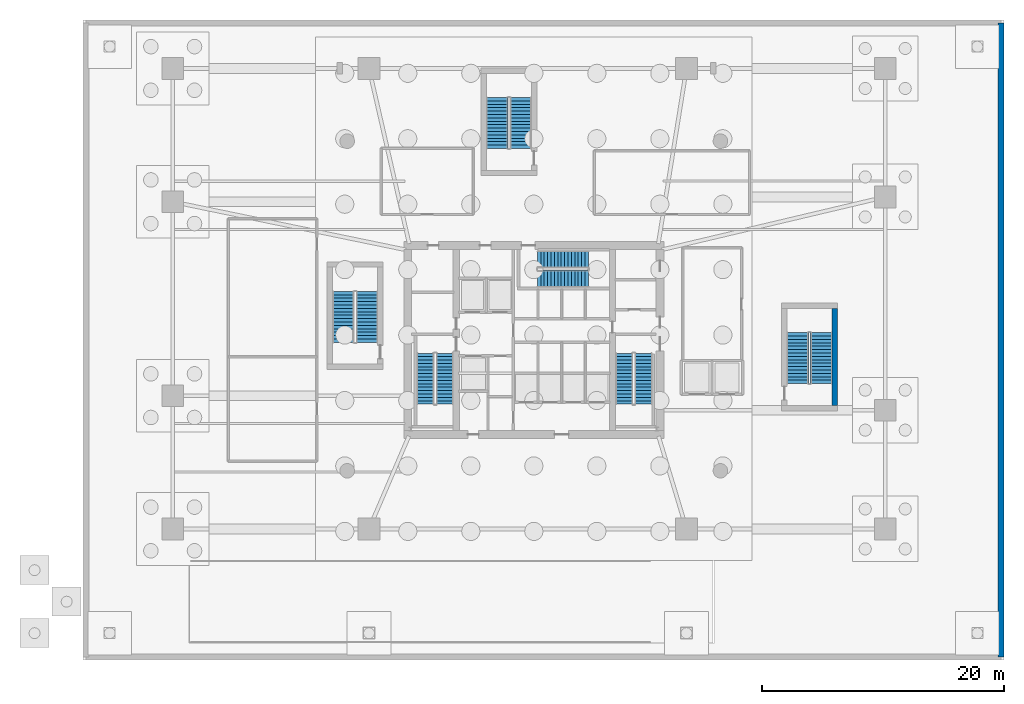
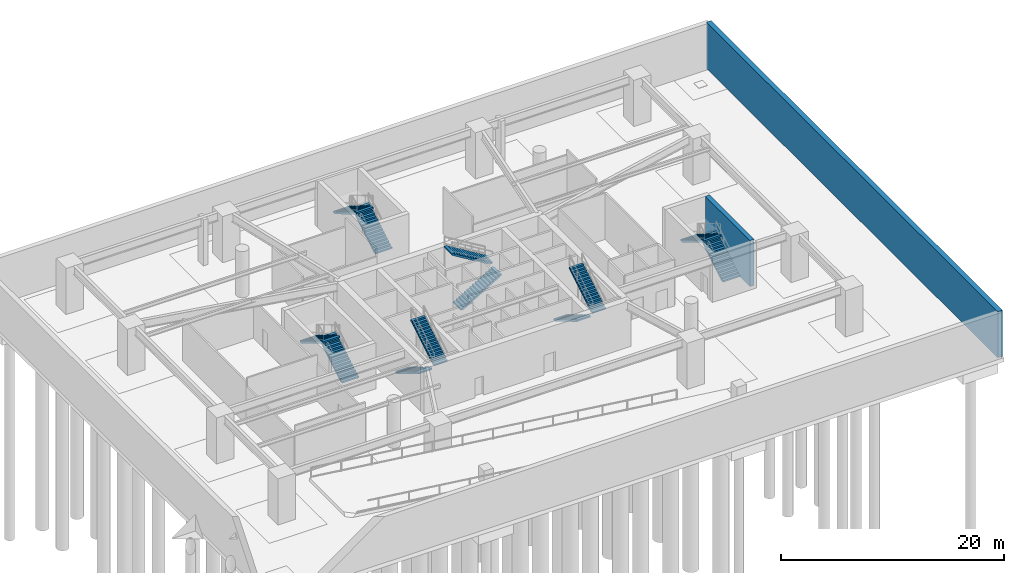
# One storey, part 8 of 11: 12 stair flights, 2 walls, 6 elements without a shape of their own.
"""IFC4 building model written with IfcOpenShell, lengths in metres."""

from ifc_helpers import new_model, si_unit, direction, frame, frame_2d, origin, place, context, subcontext, project, spatial, polyline, rectangle, outline, extrude, material, layer, layer_set, type_object, element, aggregate, save


model = new_model("IFC4")

# Units and contexts
model_context = context("Model", 3, precision=1e-05, world=origin(), true_north=direction((0.0, 1.0)))
body_context = subcontext(model_context, "Body", "Model", "MODEL_VIEW")
ifc_project = project(units=[si_unit("LENGTHUNIT", "METRE"), si_unit("AREAUNIT", "SQUARE_METRE"), si_unit("VOLUMEUNIT", "CUBIC_METRE"), si_unit("PLANEANGLEUNIT", "RADIAN"), si_unit("MASSUNIT", "GRAM", prefix="KILO")], contexts=[model_context])

# Site, building, storey
site_placement = place(None, origin())
site = spatial("IfcSite", under=ifc_project, at=site_placement, CompositionType="ELEMENT")
building_placement = place(site_placement, origin())
building = spatial("IfcBuilding", under=site, at=building_placement, Name="Qarnah Convention Tower", CompositionType="ELEMENT")
storey_placement = place(building_placement, frame((0.0, 0.0, -5.39990234375)))
storey = spatial("IfcBuildingStorey", under=building, at=storey_placement, Name="B1", CompositionType="ELEMENT", Elevation=-5.39990234375)

# Walls
ifc_material_1 = material(Name="Concrete C60/75", Category="concrete")
ifc_layer_1 = layer(ifc_material_1, 0.449951171875)
ifc_layer_set_1 = layer_set([ifc_layer_1], Name="Concrete C60/75")
wall_type_1 = type_object("IfcWallType", Name="WL-POD-CORE-450", PredefinedType="SHEAR", material=ifc_layer_set_1)
wall_1_placement = place(storey_placement, frame((62.02490234375, 21.0, 0.0), z_axis=(0.0, 0.0, 1.0), x_axis=(0.0, 1.0, 0.0)))
element("IfcWall", 1, at=wall_1_placement, inside=storey, type_object=wall_type_1, Name="B1 podium stair ST-4 east wall", PredefinedType="SHEAR", context=body_context, shape_type="SweptSolid", body=[
    extrude(rectangle(XDim=8.0, YDim=0.449951171875, at=frame_2d((4.0, 0.0))), origin(), (0.0, 0.0, 1.0), 5.0498046875),
])
ifc_material_2 = material(Name="Concrete C50/60", Category="concrete")
ifc_layer_2 = layer(ifc_material_2, 0.5)
ifc_layer_set_2 = layer_set([ifc_layer_2], Name="Concrete C50/60")
wall_type_2 = type_object("IfcWallType", Name="WL-RET-500", PredefinedType="USERDEFINED", material=ifc_layer_set_2)
wall_2_placement = place(storey_placement, frame((75.75, 0.25, 0.0), z_axis=(0.0, 0.0, 1.0), x_axis=(0.0, 1.0, 0.0)))
element("IfcWall", 2, at=wall_2_placement, inside=storey, type_object=wall_type_2, Name="Basement perimeter retaining wall E", ObjectType="RETAININGWALL", PredefinedType="USERDEFINED", context=body_context, shape_type="SweptSolid", body=[
    extrude(rectangle(XDim=52.300048828125, YDim=0.5, at=frame_2d((26.14990234375, 0.0))), origin(), (0.0, 0.0, 1.0), 5.0498046875),
])

# Stair, stair flights
stair_type_1 = type_object("IfcStairType", Name="STR-POD", PredefinedType="HALF_TURN_STAIR", material=ifc_material_2)
stair_1_placement = place(storey_placement, origin())
stair_1 = element("IfcStair", 3, at=stair_1_placement, inside=storey, type_object=stair_type_1, Name="B1 Core exit stair ST-1", PredefinedType="HALF_TURN_STAIR")
stair_flight_type_1 = type_object("IfcStairFlightType", Name="FLT-POD", PredefinedType="STRAIGHT", material=ifc_material_2)
stair_flight_1_placement = place(storey_placement, frame((28.25, 25.300048828125, 0.0), z_axis=(0.0, 0.0, 1.0), x_axis=(0.0, -1.0, 0.0)))
stair_flight_1 = element("IfcStairFlight", 4, at=stair_flight_1_placement, type_object=stair_flight_type_1, Name="ST-1 flight 1", NumberOfRisers=16, NumberOfTreads=15, PredefinedType="STRAIGHT", RiserHeight=0.16875, TreadLength=0.28, context=body_context, shape_type="SweptSolid", body=[
    extrude(outline(polyline([(0.0, 0.0), (0.0, 0.168701171875), (0.280029296875, 0.168701171875), (0.280029296875, 0.33740234375), (0.56005859375, 0.33740234375), (0.56005859375, 0.50634765625), (0.840087890625, 0.50634765625), (0.840087890625, 0.675048828125), (1.1201171875, 0.675048828125), (1.1201171875, 0.84375), (1.39990234375, 0.84375), (1.39990234375, 1.012451171875), (1.679931640625, 1.012451171875), (1.679931640625, 1.18115234375), (1.9599609375, 1.18115234375), (1.9599609375, 1.35009765625), (2.239990234375, 1.35009765625), (2.239990234375, 1.518798828125), (2.52001953125, 1.518798828125), (2.52001953125, 1.6875), (2.800048828125, 1.6875), (2.800048828125, 1.856201171875), (3.080078125, 1.856201171875), (3.080078125, 2.02490234375), (3.360107421875, 2.02490234375), (3.360107421875, 2.19384765625), (3.639892578125, 2.19384765625), (3.639892578125, 2.362548828125), (3.919921875, 2.362548828125), (3.919921875, 2.53125), (4.199951171875, 2.53125), (4.199951171875, 2.699951171875), (4.199951171875, 2.356201171875), (0.29052734375, 0.0), (0.0, 0.0)])), frame((0.0, 0.699951171875, 0.0), z_axis=(0.0, -1.0, 0.0), x_axis=(1.0, 0.0, 0.0)), (0.0, 0.0, 1.0), 1.39990234375),
])
stair_flight_2_placement = place(storey_placement, frame((29.85009765625, 21.10009765625, 2.699951171875), z_axis=(0.0, 0.0, 1.0), x_axis=(0.0, 1.0, 0.0)))
stair_flight_2 = element("IfcStairFlight", 5, at=stair_flight_2_placement, type_object=stair_flight_type_1, Name="ST-1 flight 2", NumberOfRisers=16, NumberOfTreads=15, PredefinedType="STRAIGHT", RiserHeight=0.16875, TreadLength=0.28, context=body_context, shape_type="SweptSolid", body=[
    extrude(outline(polyline([(0.0, 0.0), (0.0, 0.168701171875), (0.280029296875, 0.168701171875), (0.280029296875, 0.33740234375), (0.56005859375, 0.33740234375), (0.56005859375, 0.50634765625), (0.840087890625, 0.50634765625), (0.840087890625, 0.675048828125), (1.1201171875, 0.675048828125), (1.1201171875, 0.84375), (1.39990234375, 0.84375), (1.39990234375, 1.012451171875), (1.679931640625, 1.012451171875), (1.679931640625, 1.18115234375), (1.9599609375, 1.18115234375), (1.9599609375, 1.35009765625), (2.239990234375, 1.35009765625), (2.239990234375, 1.518798828125), (2.52001953125, 1.518798828125), (2.52001953125, 1.6875), (2.800048828125, 1.6875), (2.800048828125, 1.856201171875), (3.080078125, 1.856201171875), (3.080078125, 2.02490234375), (3.360107421875, 2.02490234375), (3.360107421875, 2.19384765625), (3.639892578125, 2.19384765625), (3.639892578125, 2.362548828125), (3.919921875, 2.362548828125), (3.919921875, 2.53125), (4.199951171875, 2.53125), (4.199951171875, 2.699951171875), (4.199951171875, 2.356201171875), (0.29052734375, 0.0), (0.0, 0.0)])), frame((0.0, 0.699951171875, 0.0), z_axis=(0.0, -1.0, 0.0), x_axis=(1.0, 0.0, 0.0)), (0.0, 0.0, 1.0), 1.39990234375),
])
aggregate(stair_1, [stair_flight_1, stair_flight_2])

stair_2_placement = place(storey_placement, origin())
stair_2 = element("IfcStair", 6, at=stair_2_placement, inside=storey, type_object=stair_type_1, Name="B1 Core exit stair ST-2", PredefinedType="HALF_TURN_STAIR")
stair_flight_3_placement = place(storey_placement, frame((44.64990234375, 25.300048828125, 0.0), z_axis=(0.0, 0.0, 1.0), x_axis=(0.0, -1.0, 0.0)))
stair_flight_3 = element("IfcStairFlight", 7, at=stair_flight_3_placement, type_object=stair_flight_type_1, Name="ST-2 flight 1", NumberOfRisers=16, NumberOfTreads=15, PredefinedType="STRAIGHT", RiserHeight=0.16875, TreadLength=0.28, context=body_context, shape_type="SweptSolid", body=[
    extrude(outline(polyline([(0.0, 0.0), (0.0, 0.168701171875), (0.280029296875, 0.168701171875), (0.280029296875, 0.33740234375), (0.56005859375, 0.33740234375), (0.56005859375, 0.50634765625), (0.840087890625, 0.50634765625), (0.840087890625, 0.675048828125), (1.1201171875, 0.675048828125), (1.1201171875, 0.84375), (1.39990234375, 0.84375), (1.39990234375, 1.012451171875), (1.679931640625, 1.012451171875), (1.679931640625, 1.18115234375), (1.9599609375, 1.18115234375), (1.9599609375, 1.35009765625), (2.239990234375, 1.35009765625), (2.239990234375, 1.518798828125), (2.52001953125, 1.518798828125), (2.52001953125, 1.6875), (2.800048828125, 1.6875), (2.800048828125, 1.856201171875), (3.080078125, 1.856201171875), (3.080078125, 2.02490234375), (3.360107421875, 2.02490234375), (3.360107421875, 2.19384765625), (3.639892578125, 2.19384765625), (3.639892578125, 2.362548828125), (3.919921875, 2.362548828125), (3.919921875, 2.53125), (4.199951171875, 2.53125), (4.199951171875, 2.699951171875), (4.199951171875, 2.356201171875), (0.29052734375, 0.0), (0.0, 0.0)])), frame((0.0, 0.699951171875, 0.0), z_axis=(0.0, -1.0, 0.0), x_axis=(1.0, 0.0, 0.0)), (0.0, 0.0, 1.0), 1.39990234375),
])
stair_flight_4_placement = place(storey_placement, frame((46.25, 21.10009765625, 2.699951171875), z_axis=(0.0, 0.0, 1.0), x_axis=(0.0, 1.0, 0.0)))
stair_flight_4 = element("IfcStairFlight", 8, at=stair_flight_4_placement, type_object=stair_flight_type_1, Name="ST-2 flight 2", NumberOfRisers=16, NumberOfTreads=15, PredefinedType="STRAIGHT", RiserHeight=0.16875, TreadLength=0.28, context=body_context, shape_type="SweptSolid", body=[
    extrude(outline(polyline([(0.0, 0.0), (0.0, 0.168701171875), (0.280029296875, 0.168701171875), (0.280029296875, 0.33740234375), (0.56005859375, 0.33740234375), (0.56005859375, 0.50634765625), (0.840087890625, 0.50634765625), (0.840087890625, 0.675048828125), (1.1201171875, 0.675048828125), (1.1201171875, 0.84375), (1.39990234375, 0.84375), (1.39990234375, 1.012451171875), (1.679931640625, 1.012451171875), (1.679931640625, 1.18115234375), (1.9599609375, 1.18115234375), (1.9599609375, 1.35009765625), (2.239990234375, 1.35009765625), (2.239990234375, 1.518798828125), (2.52001953125, 1.518798828125), (2.52001953125, 1.6875), (2.800048828125, 1.6875), (2.800048828125, 1.856201171875), (3.080078125, 1.856201171875), (3.080078125, 2.02490234375), (3.360107421875, 2.02490234375), (3.360107421875, 2.19384765625), (3.639892578125, 2.19384765625), (3.639892578125, 2.362548828125), (3.919921875, 2.362548828125), (3.919921875, 2.53125), (4.199951171875, 2.53125), (4.199951171875, 2.699951171875), (4.199951171875, 2.356201171875), (0.29052734375, 0.0), (0.0, 0.0)])), frame((0.0, 0.699951171875, 0.0), z_axis=(0.0, -1.0, 0.0), x_axis=(1.0, 0.0, 0.0)), (0.0, 0.0, 1.0), 1.39990234375),
])
aggregate(stair_2, [stair_flight_3, stair_flight_4])

stair_3_placement = place(storey_placement, origin())
stair_3 = element("IfcStair", 9, at=stair_3_placement, inside=storey, type_object=stair_type_1, Name="B1 Core exit stair ST-3", PredefinedType="HALF_TURN_STAIR")
stair_flight_5_placement = place(storey_placement, frame((37.5, 31.449951171875, 0.0), z_axis=(0.0, 0.0, 1.0), x_axis=(1.0, 0.0, 0.0)))
stair_flight_5 = element("IfcStairFlight", 10, at=stair_flight_5_placement, type_object=stair_flight_type_1, Name="ST-3 flight 1", NumberOfRisers=16, NumberOfTreads=15, PredefinedType="STRAIGHT", RiserHeight=0.16875, TreadLength=0.28, context=body_context, shape_type="SweptSolid", body=[
    extrude(outline(polyline([(0.0, 0.0), (0.0, 0.168701171875), (0.280029296875, 0.168701171875), (0.280029296875, 0.33740234375), (0.56005859375, 0.33740234375), (0.56005859375, 0.50634765625), (0.840087890625, 0.50634765625), (0.840087890625, 0.675048828125), (1.1201171875, 0.675048828125), (1.1201171875, 0.84375), (1.39990234375, 0.84375), (1.39990234375, 1.012451171875), (1.679931640625, 1.012451171875), (1.679931640625, 1.18115234375), (1.9599609375, 1.18115234375), (1.9599609375, 1.35009765625), (2.239990234375, 1.35009765625), (2.239990234375, 1.518798828125), (2.52001953125, 1.518798828125), (2.52001953125, 1.6875), (2.800048828125, 1.6875), (2.800048828125, 1.856201171875), (3.080078125, 1.856201171875), (3.080078125, 2.02490234375), (3.360107421875, 2.02490234375), (3.360107421875, 2.19384765625), (3.639892578125, 2.19384765625), (3.639892578125, 2.362548828125), (3.919921875, 2.362548828125), (3.919921875, 2.53125), (4.199951171875, 2.53125), (4.199951171875, 2.699951171875), (4.199951171875, 2.356201171875), (0.29052734375, 0.0), (0.0, 0.0)])), frame((0.0, 0.699951171875, 0.0), z_axis=(0.0, -1.0, 0.0), x_axis=(1.0, 0.0, 0.0)), (0.0, 0.0, 1.0), 1.39990234375),
])
stair_flight_6_placement = place(storey_placement, frame((41.699951171875, 33.050048828125, 2.699951171875), z_axis=(0.0, 0.0, 1.0), x_axis=(-1.0, 0.0, 0.0)))
stair_flight_6 = element("IfcStairFlight", 11, at=stair_flight_6_placement, type_object=stair_flight_type_1, Name="ST-3 flight 2", NumberOfRisers=16, NumberOfTreads=15, PredefinedType="STRAIGHT", RiserHeight=0.16875, TreadLength=0.28, context=body_context, shape_type="SweptSolid", body=[
    extrude(outline(polyline([(0.0, 0.0), (0.0, 0.168701171875), (0.280029296875, 0.168701171875), (0.280029296875, 0.33740234375), (0.56005859375, 0.33740234375), (0.56005859375, 0.50634765625), (0.840087890625, 0.50634765625), (0.840087890625, 0.675048828125), (1.1201171875, 0.675048828125), (1.1201171875, 0.84375), (1.39990234375, 0.84375), (1.39990234375, 1.012451171875), (1.679931640625, 1.012451171875), (1.679931640625, 1.18115234375), (1.9599609375, 1.18115234375), (1.9599609375, 1.35009765625), (2.239990234375, 1.35009765625), (2.239990234375, 1.518798828125), (2.52001953125, 1.518798828125), (2.52001953125, 1.6875), (2.800048828125, 1.6875), (2.800048828125, 1.856201171875), (3.080078125, 1.856201171875), (3.080078125, 2.02490234375), (3.360107421875, 2.02490234375), (3.360107421875, 2.19384765625), (3.639892578125, 2.19384765625), (3.639892578125, 2.362548828125), (3.919921875, 2.362548828125), (3.919921875, 2.53125), (4.199951171875, 2.53125), (4.199951171875, 2.699951171875), (4.199951171875, 2.356201171875), (0.29052734375, 0.0), (0.0, 0.0)])), frame((0.0, 0.699951171875, 0.0), z_axis=(0.0, -1.0, 0.0), x_axis=(1.0, 0.0, 0.0)), (0.0, 0.0, 1.0), 1.39990234375),
])
aggregate(stair_3, [stair_flight_5, stair_flight_6])

stair_type_2 = type_object("IfcStairType", Name="STR-PODW", PredefinedType="HALF_TURN_STAIR", material=ifc_material_2)
stair_4_placement = place(storey_placement, origin())
stair_4 = element("IfcStair", 12, at=stair_4_placement, inside=storey, type_object=stair_type_2, Name="B1 Podium east convention exit stair ST-4", PredefinedType="HALF_TURN_STAIR")
stair_flight_type_2 = type_object("IfcStairFlightType", Name="FLT-PODW", PredefinedType="STRAIGHT", material=ifc_material_2)
stair_flight_7_placement = place(storey_placement, frame((60.925048828125, 22.800048828125, 0.0), z_axis=(0.0, 0.0, 1.0), x_axis=(0.0, 1.0, 0.0)))
stair_flight_7 = element("IfcStairFlight", 13, at=stair_flight_7_placement, type_object=stair_flight_type_2, Name="ST-4 flight 1", NumberOfRisers=16, NumberOfTreads=15, PredefinedType="STRAIGHT", RiserHeight=0.16875, TreadLength=0.28, context=body_context, shape_type="SweptSolid", body=[
    extrude(outline(polyline([(0.0, 0.0), (0.0, 0.168701171875), (0.280029296875, 0.168701171875), (0.280029296875, 0.33740234375), (0.56005859375, 0.33740234375), (0.56005859375, 0.50634765625), (0.840087890625, 0.50634765625), (0.840087890625, 0.675048828125), (1.1201171875, 0.675048828125), (1.1201171875, 0.84375), (1.39990234375, 0.84375), (1.39990234375, 1.012451171875), (1.679931640625, 1.012451171875), (1.679931640625, 1.18115234375), (1.9599609375, 1.18115234375), (1.9599609375, 1.35009765625), (2.239990234375, 1.35009765625), (2.239990234375, 1.518798828125), (2.52001953125, 1.518798828125), (2.52001953125, 1.6875), (2.800048828125, 1.6875), (2.800048828125, 1.856201171875), (3.080078125, 1.856201171875), (3.080078125, 2.02490234375), (3.360107421875, 2.02490234375), (3.360107421875, 2.19384765625), (3.639892578125, 2.19384765625), (3.639892578125, 2.362548828125), (3.919921875, 2.362548828125), (3.919921875, 2.53125), (4.199951171875, 2.53125), (4.199951171875, 2.699951171875), (4.199951171875, 2.356201171875), (0.29052734375, 0.0), (0.0, 0.0)])), frame((0.0, 0.875, 0.0), z_axis=(0.0, -1.0, 0.0), x_axis=(1.0, 0.0, 0.0)), (0.0, 0.0, 1.0), 1.75),
])
stair_flight_8_placement = place(storey_placement, frame((58.97509765625, 27.0, 2.699951171875), z_axis=(0.0, 0.0, 1.0), x_axis=(0.0, -1.0, 0.0)))
stair_flight_8 = element("IfcStairFlight", 14, at=stair_flight_8_placement, type_object=stair_flight_type_2, Name="ST-4 flight 2", NumberOfRisers=16, NumberOfTreads=15, PredefinedType="STRAIGHT", RiserHeight=0.16875, TreadLength=0.28, context=body_context, shape_type="SweptSolid", body=[
    extrude(outline(polyline([(0.0, 0.0), (0.0, 0.168701171875), (0.280029296875, 0.168701171875), (0.280029296875, 0.33740234375), (0.56005859375, 0.33740234375), (0.56005859375, 0.50634765625), (0.840087890625, 0.50634765625), (0.840087890625, 0.675048828125), (1.1201171875, 0.675048828125), (1.1201171875, 0.84375), (1.39990234375, 0.84375), (1.39990234375, 1.012451171875), (1.679931640625, 1.012451171875), (1.679931640625, 1.18115234375), (1.9599609375, 1.18115234375), (1.9599609375, 1.35009765625), (2.239990234375, 1.35009765625), (2.239990234375, 1.518798828125), (2.52001953125, 1.518798828125), (2.52001953125, 1.6875), (2.800048828125, 1.6875), (2.800048828125, 1.856201171875), (3.080078125, 1.856201171875), (3.080078125, 2.02490234375), (3.360107421875, 2.02490234375), (3.360107421875, 2.19384765625), (3.639892578125, 2.19384765625), (3.639892578125, 2.362548828125), (3.919921875, 2.362548828125), (3.919921875, 2.53125), (4.199951171875, 2.53125), (4.199951171875, 2.699951171875), (4.199951171875, 2.356201171875), (0.29052734375, 0.0), (0.0, 0.0)])), frame((0.0, 0.875, 0.0), z_axis=(0.0, -1.0, 0.0), x_axis=(1.0, 0.0, 0.0)), (0.0, 0.0, 1.0), 1.75),
])
aggregate(stair_4, [stair_flight_7, stair_flight_8])

stair_5_placement = place(storey_placement, origin())
stair_5 = element("IfcStair", 15, at=stair_5_placement, inside=storey, type_object=stair_type_2, Name="B1 Podium west exhibition exit stair ST-5", PredefinedType="HALF_TURN_STAIR")
stair_flight_9_placement = place(storey_placement, frame((23.425048828125, 26.199951171875, 0.0), z_axis=(0.0, 0.0, 1.0), x_axis=(0.0, 1.0, 0.0)))
stair_flight_9 = element("IfcStairFlight", 16, at=stair_flight_9_placement, type_object=stair_flight_type_2, Name="ST-5 flight 1", NumberOfRisers=16, NumberOfTreads=15, PredefinedType="STRAIGHT", RiserHeight=0.16875, TreadLength=0.28, context=body_context, shape_type="SweptSolid", body=[
    extrude(outline(polyline([(0.0, 0.0), (0.0, 0.168701171875), (0.280029296875, 0.168701171875), (0.280029296875, 0.33740234375), (0.56005859375, 0.33740234375), (0.56005859375, 0.50634765625), (0.840087890625, 0.50634765625), (0.840087890625, 0.675048828125), (1.1201171875, 0.675048828125), (1.1201171875, 0.84375), (1.39990234375, 0.84375), (1.39990234375, 1.012451171875), (1.679931640625, 1.012451171875), (1.679931640625, 1.18115234375), (1.9599609375, 1.18115234375), (1.9599609375, 1.35009765625), (2.239990234375, 1.35009765625), (2.239990234375, 1.518798828125), (2.52001953125, 1.518798828125), (2.52001953125, 1.6875), (2.800048828125, 1.6875), (2.800048828125, 1.856201171875), (3.080078125, 1.856201171875), (3.080078125, 2.02490234375), (3.360107421875, 2.02490234375), (3.360107421875, 2.19384765625), (3.639892578125, 2.19384765625), (3.639892578125, 2.362548828125), (3.919921875, 2.362548828125), (3.919921875, 2.53125), (4.199951171875, 2.53125), (4.199951171875, 2.699951171875), (4.199951171875, 2.356201171875), (0.29052734375, 0.0), (0.0, 0.0)])), frame((0.0, 0.875, 0.0), z_axis=(0.0, -1.0, 0.0), x_axis=(1.0, 0.0, 0.0)), (0.0, 0.0, 1.0), 1.75),
])
stair_flight_10_placement = place(storey_placement, frame((21.47509765625, 30.39990234375, 2.699951171875), z_axis=(0.0, 0.0, 1.0), x_axis=(0.0, -1.0, 0.0)))
stair_flight_10 = element("IfcStairFlight", 17, at=stair_flight_10_placement, type_object=stair_flight_type_2, Name="ST-5 flight 2", NumberOfRisers=16, NumberOfTreads=15, PredefinedType="STRAIGHT", RiserHeight=0.16875, TreadLength=0.28, context=body_context, shape_type="SweptSolid", body=[
    extrude(outline(polyline([(0.0, 0.0), (0.0, 0.168701171875), (0.280029296875, 0.168701171875), (0.280029296875, 0.33740234375), (0.56005859375, 0.33740234375), (0.56005859375, 0.50634765625), (0.840087890625, 0.50634765625), (0.840087890625, 0.675048828125), (1.1201171875, 0.675048828125), (1.1201171875, 0.84375), (1.39990234375, 0.84375), (1.39990234375, 1.012451171875), (1.679931640625, 1.012451171875), (1.679931640625, 1.18115234375), (1.9599609375, 1.18115234375), (1.9599609375, 1.35009765625), (2.239990234375, 1.35009765625), (2.239990234375, 1.518798828125), (2.52001953125, 1.518798828125), (2.52001953125, 1.6875), (2.800048828125, 1.6875), (2.800048828125, 1.856201171875), (3.080078125, 1.856201171875), (3.080078125, 2.02490234375), (3.360107421875, 2.02490234375), (3.360107421875, 2.19384765625), (3.639892578125, 2.19384765625), (3.639892578125, 2.362548828125), (3.919921875, 2.362548828125), (3.919921875, 2.53125), (4.199951171875, 2.53125), (4.199951171875, 2.699951171875), (4.199951171875, 2.356201171875), (0.29052734375, 0.0), (0.0, 0.0)])), frame((0.0, 0.875, 0.0), z_axis=(0.0, -1.0, 0.0), x_axis=(1.0, 0.0, 0.0)), (0.0, 0.0, 1.0), 1.75),
])
aggregate(stair_5, [stair_flight_9, stair_flight_10])

stair_6_placement = place(storey_placement, origin())
stair_6 = element("IfcStair", 18, at=stair_6_placement, inside=storey, type_object=stair_type_2, Name="B1 Podium north ballroom exit stair ST-6", PredefinedType="HALF_TURN_STAIR")
stair_flight_11_placement = place(storey_placement, frame((36.125, 42.199951171875, 0.0), z_axis=(0.0, 0.0, 1.0), x_axis=(0.0, 1.0, 0.0)))
stair_flight_11 = element("IfcStairFlight", 19, at=stair_flight_11_placement, type_object=stair_flight_type_2, Name="ST-6 flight 1", NumberOfRisers=16, NumberOfTreads=15, PredefinedType="STRAIGHT", RiserHeight=0.16875, TreadLength=0.28, context=body_context, shape_type="SweptSolid", body=[
    extrude(outline(polyline([(0.0, 0.0), (0.0, 0.168701171875), (0.280029296875, 0.168701171875), (0.280029296875, 0.33740234375), (0.56005859375, 0.33740234375), (0.56005859375, 0.50634765625), (0.840087890625, 0.50634765625), (0.840087890625, 0.675048828125), (1.1201171875, 0.675048828125), (1.1201171875, 0.84375), (1.39990234375, 0.84375), (1.39990234375, 1.012451171875), (1.679931640625, 1.012451171875), (1.679931640625, 1.18115234375), (1.9599609375, 1.18115234375), (1.9599609375, 1.35009765625), (2.239990234375, 1.35009765625), (2.239990234375, 1.518798828125), (2.52001953125, 1.518798828125), (2.52001953125, 1.6875), (2.800048828125, 1.6875), (2.800048828125, 1.856201171875), (3.080078125, 1.856201171875), (3.080078125, 2.02490234375), (3.360107421875, 2.02490234375), (3.360107421875, 2.19384765625), (3.639892578125, 2.19384765625), (3.639892578125, 2.362548828125), (3.919921875, 2.362548828125), (3.919921875, 2.53125), (4.199951171875, 2.53125), (4.199951171875, 2.699951171875), (4.199951171875, 2.356201171875), (0.29052734375, 0.0), (0.0, 0.0)])), frame((0.0, 0.875, 0.0), z_axis=(0.0, -1.0, 0.0), x_axis=(1.0, 0.0, 0.0)), (0.0, 0.0, 1.0), 1.75),
])
stair_flight_12_placement = place(storey_placement, frame((34.175048828125, 46.39990234375, 2.699951171875), z_axis=(0.0, 0.0, 1.0), x_axis=(0.0, -1.0, 0.0)))
stair_flight_12 = element("IfcStairFlight", 20, at=stair_flight_12_placement, type_object=stair_flight_type_2, Name="ST-6 flight 2", NumberOfRisers=16, NumberOfTreads=15, PredefinedType="STRAIGHT", RiserHeight=0.16875, TreadLength=0.28, context=body_context, shape_type="SweptSolid", body=[
    extrude(outline(polyline([(0.0, 0.0), (0.0, 0.168701171875), (0.280029296875, 0.168701171875), (0.280029296875, 0.33740234375), (0.56005859375, 0.33740234375), (0.56005859375, 0.50634765625), (0.840087890625, 0.50634765625), (0.840087890625, 0.675048828125), (1.1201171875, 0.675048828125), (1.1201171875, 0.84375), (1.39990234375, 0.84375), (1.39990234375, 1.012451171875), (1.679931640625, 1.012451171875), (1.679931640625, 1.18115234375), (1.9599609375, 1.18115234375), (1.9599609375, 1.35009765625), (2.239990234375, 1.35009765625), (2.239990234375, 1.518798828125), (2.52001953125, 1.518798828125), (2.52001953125, 1.6875), (2.800048828125, 1.6875), (2.800048828125, 1.856201171875), (3.080078125, 1.856201171875), (3.080078125, 2.02490234375), (3.360107421875, 2.02490234375), (3.360107421875, 2.19384765625), (3.639892578125, 2.19384765625), (3.639892578125, 2.362548828125), (3.919921875, 2.362548828125), (3.919921875, 2.53125), (4.199951171875, 2.53125), (4.199951171875, 2.699951171875), (4.199951171875, 2.356201171875), (0.29052734375, 0.0), (0.0, 0.0)])), frame((0.0, 0.875, 0.0), z_axis=(0.0, -1.0, 0.0), x_axis=(1.0, 0.0, 0.0)), (0.0, 0.0, 1.0), 1.75),
])
aggregate(stair_6, [stair_flight_11, stair_flight_12])

save(model, "model.ifc")
